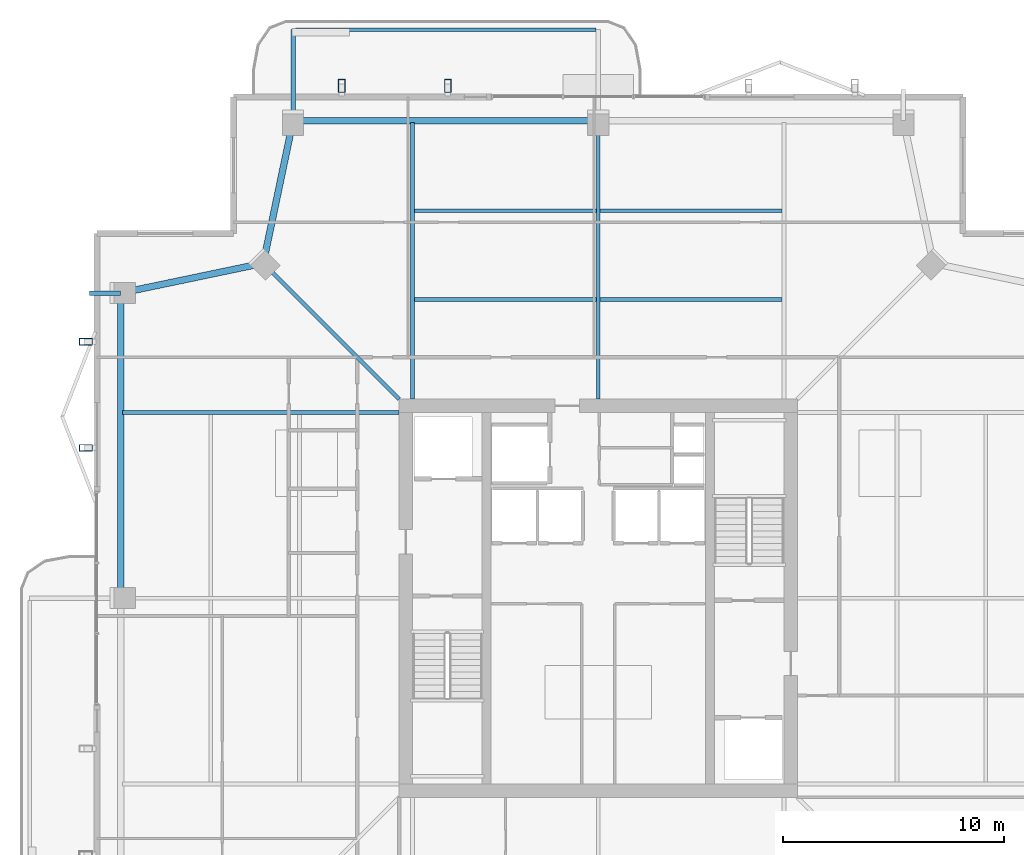
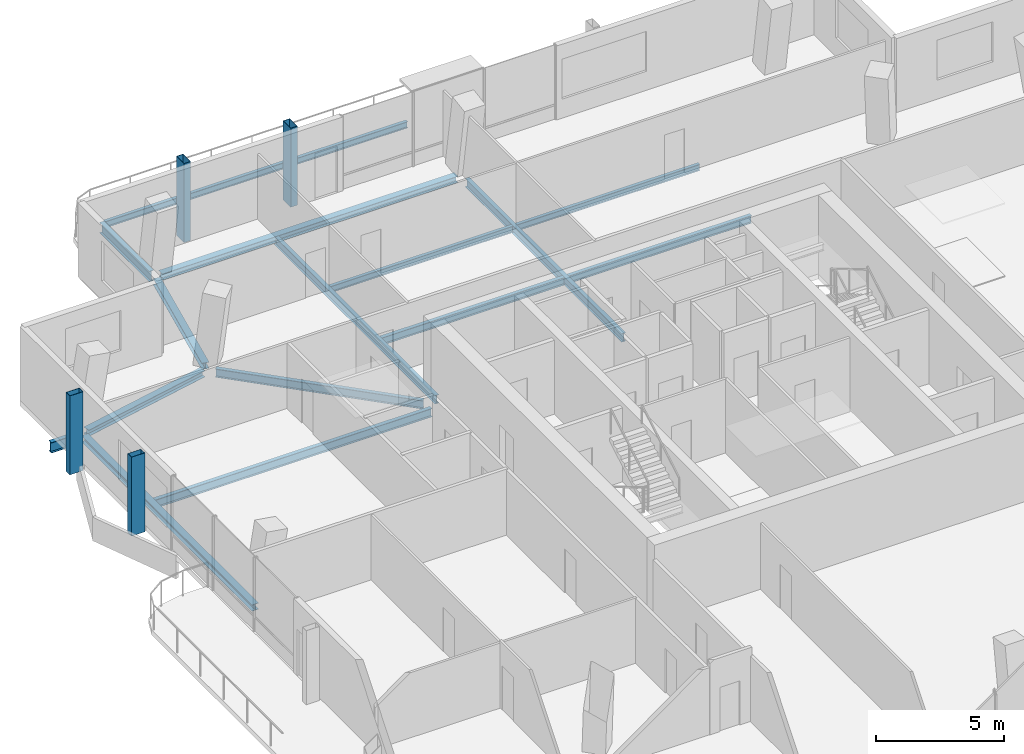
# One storey, part 10 of 20: 15 beams, 4 members.
"""IFC4 building model written with IfcOpenShell, lengths in metres."""

from ifc_helpers import new_model, si_unit, direction, frame, origin, origin_2d, place, context, subcontext, project, spatial, hollow_rectangle, i_section, extrude, material, material_profile, profile_set, type_object, element, save


model = new_model("IFC4")

# Units and contexts
model_context = context("Model", 3, precision=1e-05, world=origin(), true_north=direction((0.0, 1.0)))
body_context = subcontext(model_context, "Body", "Model", "MODEL_VIEW")
ifc_project = project(units=[si_unit("LENGTHUNIT", "METRE"), si_unit("AREAUNIT", "SQUARE_METRE"), si_unit("VOLUMEUNIT", "CUBIC_METRE"), si_unit("PLANEANGLEUNIT", "RADIAN"), si_unit("MASSUNIT", "GRAM", prefix="KILO")], contexts=[model_context])

# Site, building, storey
site_placement = place(None, origin())
site = spatial("IfcSite", under=ifc_project, at=site_placement, CompositionType="ELEMENT")
building_placement = place(site_placement, origin())
building = spatial("IfcBuilding", under=site, at=building_placement, Name="Belovzor Exchange Tower", CompositionType="ELEMENT")
storey_placement = place(building_placement, frame((0.0, 0.0, 329.25)))
storey = spatial("IfcBuildingStorey", under=building, at=storey_placement, Name="L82", CompositionType="ELEMENT", Elevation=329.25)

# Beams
ifc_material_1 = material(Name="Steel S355", Category="steel")
ifc_material_profile_1 = material_profile(ifc_material_1, i_section(OverallWidth=0.199951171875, OverallDepth=0.5, WebThickness=0.01025390625, FlangeThickness=0.01611328125, at=origin_2d()))
ifc_profile_set_1 = profile_set([ifc_material_profile_1], Name="Steel S355")
beam_type_1 = type_object("IfcBeamType", Name="Planted Balcony Cantilever Beam IPE 500", PredefinedType="BEAM", material=ifc_profile_set_1)
beam_1_placement = place(storey_placement, frame((15.0, 50.660888671875, -0.489990234375), z_axis=(0.0, 1.0, 0.0), x_axis=(-1.0, 0.0, 0.0)))
element("IfcBeam", 1, at=beam_1_placement, inside=storey, type_object=beam_type_1, Name="BC-500 Planted Balcony Cantilever Beam IPE 500", PredefinedType="BEAM", context=body_context, shape_type="SweptSolid", body=[
    extrude(i_section(OverallWidth=0.199951171875, OverallDepth=0.5, WebThickness=0.01025390625, FlangeThickness=0.01611328125, at=origin_2d()), origin(), (0.0, 0.0, 1.0), 3.85009765625),
])
beam_2_placement = place(storey_placement, frame((7.199951171875, 42.60009765625, -0.489990234375), z_axis=(-1.0, 0.0, 0.0), x_axis=(0.0, -1.0, 0.0)))
element("IfcBeam", 2, at=beam_2_placement, inside=storey, type_object=beam_type_1, Name="BC-500 Planted Balcony Cantilever Beam IPE 500", PredefinedType="BEAM", context=body_context, shape_type="SweptSolid", body=[
    extrude(i_section(OverallWidth=0.199951171875, OverallDepth=0.5, WebThickness=0.01025390625, FlangeThickness=0.01611328125, at=origin_2d()), origin(), (0.0, 0.0, 1.0), 1.39990234375),
])
ifc_material_2 = material(Name="Steel S355", Category="steel")
ifc_material_profile_2 = material_profile(ifc_material_2, i_section(OverallWidth=0.14990234375, OverallDepth=0.300048828125, WebThickness=0.007080078125, FlangeThickness=0.0107421875, at=origin_2d()))
ifc_profile_set_2 = profile_set([ifc_material_profile_2], Name="Steel S355")
beam_type_2 = type_object("IfcBeamType", Name="Planted Balcony Fascia Edge Beam IPE 300", PredefinedType="BEAM", material=ifc_profile_set_2)
beam_3_placement = place(storey_placement, frame((28.699951171875, 54.510986328125, -0.389892578125), z_axis=(-1.0, 0.0, 0.0), x_axis=(0.0, -1.0, 0.0)))
element("IfcBeam", 3, at=beam_3_placement, inside=storey, type_object=beam_type_2, Name="BC-300 Planted Balcony Fascia Edge Beam IPE 300", PredefinedType="BEAM", context=body_context, shape_type="SweptSolid", body=[
    extrude(i_section(OverallWidth=0.14990234375, OverallDepth=0.300048828125, WebThickness=0.007080078125, FlangeThickness=0.0107421875, at=origin_2d()), origin(), (0.0, 0.0, 1.0), 13.599853515625),
])
ifc_material_3 = material(Name="Steel S355", Category="steel")
ifc_material_profile_3 = material_profile(ifc_material_3, i_section(OverallWidth=0.169921875, OverallDepth=0.360107421875, WebThickness=0.008056640625, FlangeThickness=0.0126953125, at=origin_2d()))
ifc_profile_set_3 = profile_set([ifc_material_profile_3], Name="Steel S355")
beam_type_3 = type_object("IfcBeamType", Name="Secondary Infill Floor Joist IPE 360", PredefinedType="BEAM", material=ifc_profile_set_3)
beam_4_placement = place(storey_placement, frame((20.489990234375, 42.30908203125, -0.419921875), z_axis=(1.0, 0.0, 0.0), x_axis=(0.0, 1.0, 0.0)))
element("IfcBeam", 4, at=beam_4_placement, inside=storey, type_object=beam_type_3, Name="FJ-360 Secondary Infill Floor Joist IPE 360", PredefinedType="BEAM", context=body_context, shape_type="SweptSolid", body=[
    extrude(i_section(OverallWidth=0.169921875, OverallDepth=0.360107421875, WebThickness=0.008056640625, FlangeThickness=0.0126953125, at=origin_2d()), origin(), (0.0, 0.0, 1.0), 8.219970703125),
])
beam_5_placement = place(storey_placement, frame((28.889892578125, 42.30908203125, -0.419921875), z_axis=(1.0, 0.0, 0.0), x_axis=(0.0, 1.0, 0.0)))
element("IfcBeam", 5, at=beam_5_placement, inside=storey, type_object=beam_type_3, Name="FJ-360 Secondary Infill Floor Joist IPE 360", PredefinedType="BEAM", context=body_context, shape_type="SweptSolid", body=[
    extrude(i_section(OverallWidth=0.169921875, OverallDepth=0.360107421875, WebThickness=0.008056640625, FlangeThickness=0.0126953125, at=origin_2d()), origin(), (0.0, 0.0, 1.0), 8.22021484375),
])
ifc_material_4 = material(Name="Steel S355", Category="steel")
ifc_material_profile_4 = material_profile(ifc_material_4, i_section(OverallWidth=0.14990234375, OverallDepth=0.300048828125, WebThickness=0.007080078125, FlangeThickness=0.0107421875, at=origin_2d()))
ifc_profile_set_4 = profile_set([ifc_material_profile_4], Name="Steel S355")
beam_type_4 = type_object("IfcBeamType", Name="Secondary Trim Floor Joist IPE 300", PredefinedType="BEAM", material=ifc_profile_set_4)
beam_6_placement = place(storey_placement, frame((20.489990234375, 46.31689453125, -0.389892578125), z_axis=(1.0, 0.0, 0.0), x_axis=(0.0, 1.0, 0.0)))
element("IfcBeam", 6, at=beam_6_placement, inside=storey, type_object=beam_type_4, Name="FJ-300 Secondary Trim Floor Joist IPE 300", PredefinedType="BEAM", context=body_context, shape_type="SweptSolid", body=[
    extrude(i_section(OverallWidth=0.14990234375, OverallDepth=0.300048828125, WebThickness=0.007080078125, FlangeThickness=0.0107421875, at=origin_2d()), origin(), (0.0, 0.0, 1.0), 8.219970703125),
])
beam_7_placement = place(storey_placement, frame((28.889892578125, 46.31689453125, -0.389892578125), z_axis=(1.0, 0.0, 0.0), x_axis=(0.0, 1.0, 0.0)))
element("IfcBeam", 7, at=beam_7_placement, inside=storey, type_object=beam_type_4, Name="FJ-300 Secondary Trim Floor Joist IPE 300", PredefinedType="BEAM", context=body_context, shape_type="SweptSolid", body=[
    extrude(i_section(OverallWidth=0.14990234375, OverallDepth=0.300048828125, WebThickness=0.007080078125, FlangeThickness=0.0107421875, at=origin_2d()), origin(), (0.0, 0.0, 1.0), 8.22021484375),
])

# Members
ifc_material_5 = material(Name="Extruded Architectural Terracotta on Steel S355 Carrier", Category="masonry")
ifc_material_profile_5 = material_profile(ifc_material_5, hollow_rectangle(XDim=0.300048828125, YDim=0.60009765625, WallThickness=0.01611328125, at=origin_2d()))
ifc_profile_set_5 = profile_set([ifc_material_profile_5], Name="Extruded Architectural Terracotta on Steel S355 Carrier")
member_type = type_object("IfcMemberType", Name="Upper Crown Terracotta Fin Assembly 550", PredefinedType="USERDEFINED", material=ifc_profile_set_5)
for number, where, z_axis, x_axis, name in (
    (8, (17.199951171875, 51.97509765625, -0.239990234375), (0.0, 0.0, 1.0), (1.0, 0.0, 0.0), "FIN-TC055 Terracotta Facade Fin L82 N1"),
    (9, (22.0, 51.97509765625, -0.239990234375), (0.0, 0.0, 1.0), (1.0, 0.0, 0.0), "FIN-TC055 Terracotta Facade Fin L82 N2"),
    (10, (5.625, 35.60009765625, -0.239990234375), (0.0, 0.0, 1.0), (0.0, 1.0, 0.0), "FIN-TC055 Terracotta Facade Fin L82 W3"),
    (11, (5.625, 40.39990234375, -0.239990234375), (0.0, 0.0, 1.0), (0.0, 1.0, 0.0), "FIN-TC055 Terracotta Facade Fin L82 W4"),
):
    element("IfcMember", number, at=place(storey_placement, frame(where, z_axis=z_axis, x_axis=x_axis)), inside=storey, type_object=member_type, Name=name, ObjectType="FIN", PredefinedType="USERDEFINED", context=body_context, shape_type="SweptSolid", body=[
        extrude(hollow_rectangle(XDim=0.300048828125, YDim=0.60009765625, WallThickness=0.01611328125, at=origin_2d()), origin(), (0.0, 0.0, 1.0), 3.75),
    ])

# Beams
ifc_material_6 = material(Name="Steel S355", Category="steel")
ifc_material_profile_6 = material_profile(ifc_material_6, i_section(OverallWidth=0.179931640625, OverallDepth=0.39990234375, WebThickness=0.008544921875, FlangeThickness=0.013427734375, at=origin_2d()))
ifc_profile_set_6 = profile_set([ifc_material_profile_6], Name="Steel S355")
beam_type_5 = type_object("IfcBeamType", Name="Zone 5-6 Radial Composite Floor Beam IPE 400", PredefinedType="BEAM", material=ifc_profile_set_6)
beam_8_placement = place(storey_placement, frame((20.39990234375, 37.800048828125, -0.43994140625), z_axis=(0.0, 1.0, 0.0), x_axis=(-1.0, 0.0, 0.0)))
element("IfcBeam", 12, at=beam_8_placement, inside=storey, type_object=beam_type_5, Name="FB-400 Zone 5-6 Radial Composite Floor Beam IPE 400", PredefinedType="BEAM", context=body_context, shape_type="SweptSolid", body=[
    extrude(i_section(OverallWidth=0.179931640625, OverallDepth=0.39990234375, WebThickness=0.008544921875, FlangeThickness=0.013427734375, at=origin_2d()), origin(), (0.0, 0.0, 1.0), 12.52490234375),
])
beam_9_placement = place(storey_placement, frame((28.800048828125, 37.800048828125, -0.43994140625), z_axis=(0.0, 1.0, 0.0), x_axis=(-1.0, 0.0, 0.0)))
element("IfcBeam", 13, at=beam_9_placement, inside=storey, type_object=beam_type_5, Name="FB-400 Zone 5-6 Radial Composite Floor Beam IPE 400", PredefinedType="BEAM", context=body_context, shape_type="SweptSolid", body=[
    extrude(i_section(OverallWidth=0.179931640625, OverallDepth=0.39990234375, WebThickness=0.008544921875, FlangeThickness=0.013427734375, at=origin_2d()), origin(), (0.0, 0.0, 1.0), 12.181884765625),
])
beam_10_placement = place(storey_placement, frame((19.800048828125, 37.199951171875, -0.43994140625), z_axis=(-1.0, 0.0, 0.0), x_axis=(0.0, -1.0, 0.0)))
element("IfcBeam", 14, at=beam_10_placement, inside=storey, type_object=beam_type_5, Name="FB-400 Zone 5-6 Radial Composite Floor Beam IPE 400", PredefinedType="BEAM", context=body_context, shape_type="SweptSolid", body=[
    extrude(i_section(OverallWidth=0.179931640625, OverallDepth=0.39990234375, WebThickness=0.008544921875, FlangeThickness=0.013427734375, at=origin_2d()), origin(), (0.0, 0.0, 1.0), 12.525146484375),
])
beam_11_placement = place(storey_placement, frame((19.800048828125, 37.800048828125, -0.43994140625), z_axis=(-0.707062982569, 0.707150577091, 0.0), x_axis=(-0.707150577091, -0.707062982569, 0.0)))
element("IfcBeam", 15, at=beam_11_placement, inside=storey, type_object=beam_type_5, Name="FB-400 Zone 5-6 Radial Composite Floor Beam IPE 400", PredefinedType="BEAM", context=body_context, shape_type="SweptSolid", body=[
    extrude(i_section(OverallWidth=0.179931640625, OverallDepth=0.39990234375, WebThickness=0.008544921875, FlangeThickness=0.013427734375, at=origin_2d()), origin(), (0.0, 0.0, 1.0), 8.361572265625),
])
ifc_material_7 = material(Name="Steel S355", Category="steel")
ifc_material_profile_7 = material_profile(ifc_material_7, i_section(OverallWidth=0.300048828125, OverallDepth=0.300048828125, WebThickness=0.008544921875, FlangeThickness=0.013916015625, at=origin_2d()))
ifc_profile_set_7 = profile_set([ifc_material_profile_7], Name="Steel S355")
beam_type_6 = type_object("IfcBeamType", Name="Zone 6 Primary Girder HEA 300", PredefinedType="BEAM", material=ifc_profile_set_7)
beam_12_placement = place(storey_placement, frame((28.5390625, 50.39990234375, -0.389892578125), z_axis=(-1.0, 0.0, 0.0), x_axis=(0.0, -1.0, 0.0)))
element("IfcBeam", 16, at=beam_12_placement, inside=storey, type_object=beam_type_6, Name="FG-Z6 Zone 6 Primary Girder HEA 300", PredefinedType="BEAM", context=body_context, shape_type="SweptSolid", body=[
    extrude(i_section(OverallWidth=0.300048828125, OverallDepth=0.300048828125, WebThickness=0.008544921875, FlangeThickness=0.013916015625, at=origin_2d()), origin(), (0.0, 0.0, 1.0), 13.278076171875),
])
for number, where, z_axis, x_axis, name in (
    (17, (14.946044921875, 50.14404296875, -0.389892578125), (-0.204722380619, -0.978820078908, 0.0), (0.978820078908, -0.204722380619, 0.0), "FG-Z6 Zone 6 Primary Girder HEA 300"),
    (18, (13.39404296875, 43.89599609375, -0.389892578125), (-0.978820078908, -0.204722380619, 0.0), (0.204722380619, -0.978820078908, 0.0), "FG-Z6 Zone 6 Primary Girder HEA 300"),
):
    element("IfcBeam", number, at=place(storey_placement, frame(where, z_axis=z_axis, x_axis=x_axis)), inside=storey, type_object=beam_type_6, Name=name, PredefinedType="BEAM", context=body_context, shape_type="SweptSolid", body=[
        extrude(i_section(OverallWidth=0.300048828125, OverallDepth=0.300048828125, WebThickness=0.008544921875, FlangeThickness=0.013916015625, at=origin_2d()), origin(), (0.0, 0.0, 1.0), 6.06640625),
    ])
beam_13_placement = place(storey_placement, frame((7.199951171875, 42.339111328125, -0.389892578125), z_axis=(0.0, -1.0, 0.0), x_axis=(1.0, 0.0, 0.0)))
element("IfcBeam", 19, at=beam_13_placement, inside=storey, type_object=beam_type_6, Name="FG-Z6 Zone 6 Primary Girder HEA 300", PredefinedType="BEAM", context=body_context, shape_type="SweptSolid", body=[
    extrude(i_section(OverallWidth=0.300048828125, OverallDepth=0.300048828125, WebThickness=0.008544921875, FlangeThickness=0.013916015625, at=origin_2d()), origin(), (0.0, 0.0, 1.0), 13.278076171875),
])

save(model, "model.ifc")
